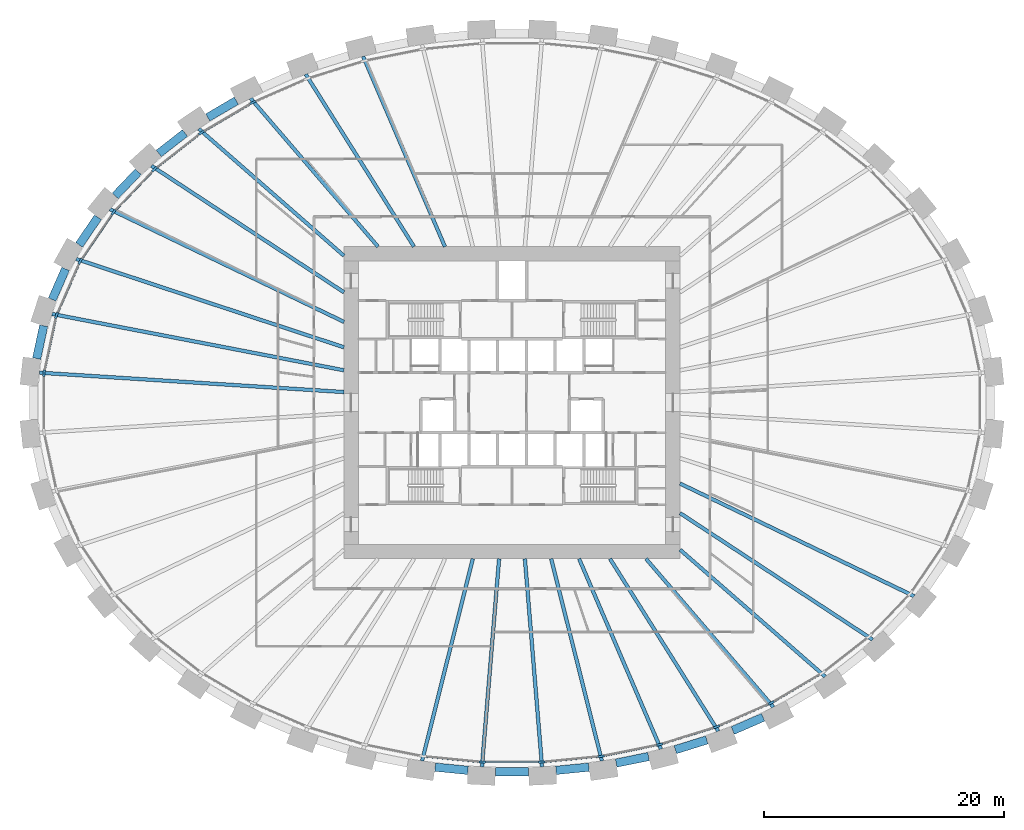
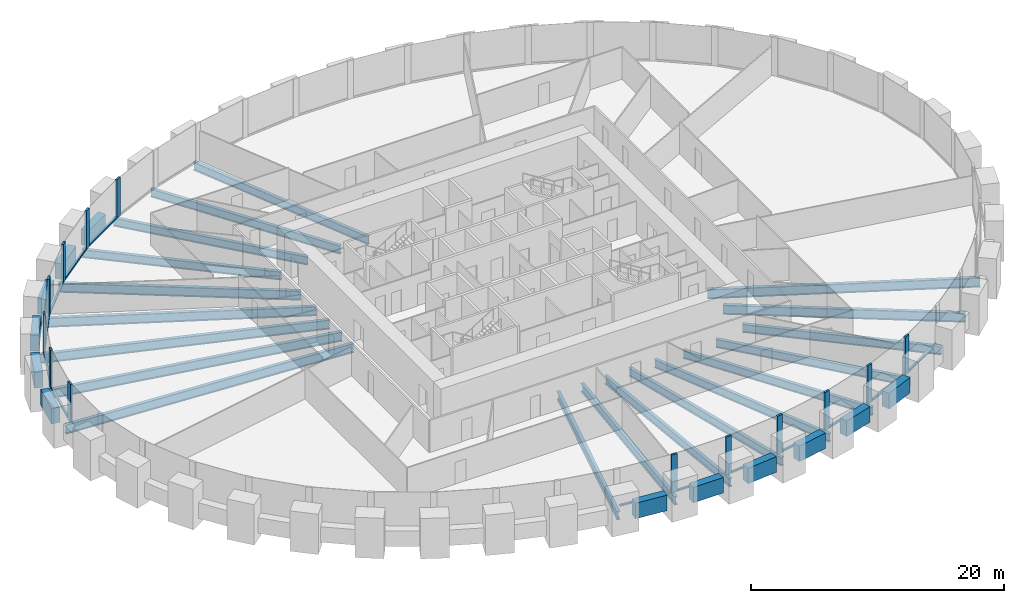
# One storey, part 2 of 11: 31 beams, 26 members, 1 element without a shape of its own.
"""IFC4 building model written with IfcOpenShell, lengths in metres."""

from ifc_helpers import new_model, si_unit, direction, frame, origin, origin_2d, place, context, subcontext, project, spatial, rectangle, i_section, extrude, source, transform, mapped, material, material_profile, profile_set, type_object, element, aggregate, save


model = new_model("IFC4")

# Units and contexts
model_context = context("Model", 3, precision=1e-05, world=origin(), true_north=direction((0.0, 1.0)))
body_context = subcontext(model_context, "Body", "Model", "MODEL_VIEW")
ifc_project = project(units=[si_unit("LENGTHUNIT", "METRE"), si_unit("AREAUNIT", "SQUARE_METRE"), si_unit("VOLUMEUNIT", "CUBIC_METRE"), si_unit("PLANEANGLEUNIT", "RADIAN"), si_unit("MASSUNIT", "GRAM", prefix="KILO")], contexts=[model_context])

# Site, building, storey
site_placement = place(None, origin())
site = spatial("IfcSite", under=ifc_project, at=site_placement, CompositionType="ELEMENT")
building_placement = place(site_placement, origin())
building = spatial("IfcBuilding", under=site, at=building_placement, Name="Embergate Tower", CompositionType="ELEMENT")
storey_placement = place(building_placement, frame((0.0, 0.0, 109.39990234375)))
storey = spatial("IfcBuildingStorey", under=building, at=storey_placement, Name="L23", CompositionType="ELEMENT", Elevation=109.39990234375)

# Beams
ifc_material_1 = material(Name="Concrete C70", Category="concrete")
ifc_material_profile_1 = material_profile(ifc_material_1, rectangle(XDim=0.699951171875, YDim=1.5, at=origin_2d()), Name="RC 700x1500")
ifc_profile_set_1 = profile_set([ifc_material_profile_1], Name="Concrete C70")
beam_type_1 = type_object("IfcBeamType", Name="Spandrel beam RC 700x1500 C70", PredefinedType="BEAM", material=ifc_profile_set_1)
shared_shape_1 = source(origin(), body_context, "Body", "SweptSolid", [
    extrude(rectangle(XDim=0.699951171875, YDim=1.5, at=origin_2d()), origin(), (0.0, 0.0, 1.0), 2.789306640625),
])
beam_1_placement = place(storey_placement, frame((-39.02001953125, 6.409912109375, 0.0), z_axis=(-0.210419662527, -0.977611152566, 0.0), x_axis=(0.977611152566, -0.210419662527, 0.0)))
element("IfcBeam", 1, at=beam_1_placement, inside=storey, type_object=beam_type_1, Name="SPN-L23-20", PredefinedType="BEAM", context=body_context, shape_type="MappedRepresentation", body=[
    mapped(shared_shape_1, transform((0.0, 0.0, 0.0))),
])
shared_shape_2 = source(origin(), body_context, "Body", "SweptSolid", [
    extrude(rectangle(XDim=0.699951171875, YDim=1.5, at=origin_2d()), origin(), (0.0, 0.0, 1.0), 2.78564453125),
])
beam_2_placement = place(storey_placement, frame((-37.193115234375, 11.14892578125, 0.0), z_axis=(-0.401669232295, -0.915784815242, 0.0), x_axis=(0.915784815242, -0.401669232295, 0.0)))
element("IfcBeam", 2, at=beam_2_placement, inside=storey, type_object=beam_type_1, Name="SPN-L23-19", PredefinedType="BEAM", context=body_context, shape_type="MappedRepresentation", body=[
    mapped(shared_shape_2, transform((0.0, 0.0, 0.0))),
])
shared_shape_3 = source(origin(), body_context, "Body", "SweptSolid", [
    extrude(rectangle(XDim=0.699951171875, YDim=1.5, at=origin_2d()), origin(), (0.0, 0.0, 1.0), 2.775634765625),
])
beam_3_placement = place(storey_placement, frame((-34.5009765625, 15.447021484375, 0.0), z_axis=(-0.562430313872, -0.826844690397, 0.0), x_axis=(0.826844690397, -0.562430313872, 0.0)))
element("IfcBeam", 3, at=beam_3_placement, inside=storey, type_object=beam_type_1, Name="SPN-L23-18", PredefinedType="BEAM", context=body_context, shape_type="MappedRepresentation", body=[
    mapped(shared_shape_3, transform((0.0, 0.0, 0.0))),
])
shared_shape_4 = source(origin(), body_context, "Body", "SweptSolid", [
    extrude(rectangle(XDim=0.699951171875, YDim=1.5, at=origin_2d()), origin(), (0.0, 0.0, 1.0), 2.770263671875),
])
beam_4_placement = place(storey_placement, frame((-31.14404296875, 19.241943359375, 0.0), z_axis=(-0.690119345663, -0.723695577395, 0.0), x_axis=(0.723695577395, -0.690119345663, 0.0)))
element("IfcBeam", 4, at=beam_4_placement, inside=storey, type_object=beam_type_1, Name="SPN-L23-17", PredefinedType="BEAM", context=body_context, shape_type="MappedRepresentation", body=[
    mapped(shared_shape_4, transform((0.0, 0.0, 0.0))),
])
shared_shape_5 = source(origin(), body_context, "Body", "SweptSolid", [
    extrude(rectangle(XDim=0.699951171875, YDim=1.5, at=origin_2d()), origin(), (0.0, 0.0, 1.0), 2.762939453125),
])
beam_5_placement = place(storey_placement, frame((-27.248046875, 22.470947265625, 0.0), z_axis=(-0.788304284462, -0.615285588242, 0.0), x_axis=(0.615285588242, -0.788304284462, 0.0)))
element("IfcBeam", 5, at=beam_5_placement, inside=storey, type_object=beam_type_1, Name="SPN-L23-16", PredefinedType="BEAM", context=body_context, shape_type="MappedRepresentation", body=[
    mapped(shared_shape_5, transform((0.0, 0.0, 0.0))),
])
shared_shape_6 = source(origin(), body_context, "Body", "SweptSolid", [
    extrude(rectangle(XDim=0.699951171875, YDim=1.5, at=origin_2d()), origin(), (0.0, 0.0, 1.0), 2.758544921875),
])
beam_6_placement = place(storey_placement, frame((-22.968017578125, 25.162109375, 0.0), z_axis=(-0.862027482261, -0.506861539108, 0.0), x_axis=(0.506861539108, -0.862027482261, 0.0)))
element("IfcBeam", 6, at=beam_6_placement, inside=storey, type_object=beam_type_1, Name="SPN-L23-15", PredefinedType="BEAM", context=body_context, shape_type="MappedRepresentation", body=[
    mapped(shared_shape_6, transform((0.0, 0.0, 0.0))),
])
shared_shape_7 = source(origin(), body_context, "Body", "SweptSolid", [
    extrude(rectangle(XDim=0.699951171875, YDim=1.5, at=origin_2d()), origin(), (0.0, 0.0, 1.0), 2.75537109375),
])
beam_7_placement = place(storey_placement, frame((18.39404296875, -27.31103515625, 0.0), z_axis=(0.916372764163, 0.400326063478, 0.0), x_axis=(-0.400326063478, 0.916372764163, 0.0)))
element("IfcBeam", 7, at=beam_7_placement, inside=storey, type_object=beam_type_1, Name="SPN-L23-36", PredefinedType="BEAM", context=body_context, shape_type="MappedRepresentation", body=[
    mapped(shared_shape_7, transform((0.0, 0.0, 0.0))),
])
shared_shape_8 = source(origin(), body_context, "Body", "SweptSolid", [
    extrude(rectangle(XDim=0.699951171875, YDim=1.5, at=origin_2d()), origin(), (0.0, 0.0, 1.0), 2.750732421875),
])
beam_8_placement = place(storey_placement, frame((13.60595703125, -28.9150390625, 0.0), z_axis=(0.954637769475, 0.297769590609, 0.0), x_axis=(-0.297769590609, 0.954637769475, 0.0)))
element("IfcBeam", 8, at=beam_8_placement, inside=storey, type_object=beam_type_1, Name="SPN-L23-35", PredefinedType="BEAM", context=body_context, shape_type="MappedRepresentation", body=[
    mapped(shared_shape_8, transform((0.0, 0.0, 0.0))),
])
shared_shape_9 = source(origin(), body_context, "Body", "SweptSolid", [
    extrude(rectangle(XDim=0.699951171875, YDim=1.5, at=origin_2d()), origin(), (0.0, 0.0, 1.0), 2.749755859375),
])
beam_9_placement = place(storey_placement, frame((8.680908203125, -30.02392578125, 0.0), z_axis=(0.98045412413, 0.196747834743, 0.0), x_axis=(-0.196747834743, 0.98045412413, 0.0)))
element("IfcBeam", 9, at=beam_9_placement, inside=storey, type_object=beam_type_1, Name="SPN-L23-34", PredefinedType="BEAM", context=body_context, shape_type="MappedRepresentation", body=[
    mapped(shared_shape_9, transform((0.0, 0.0, 0.0))),
])
shared_shape_10 = source(origin(), body_context, "Body", "SweptSolid", [
    extrude(rectangle(XDim=0.699951171875, YDim=1.5, at=origin_2d()), origin(), (0.0, 0.0, 1.0), 2.748291015625),
])
for number, where, z_axis, x_axis, name in (
    (10, (-6.406005859375, -30.363037109375, 0.0), (0.995196843386, -0.097894039223, 0.0), (0.097894039223, 0.995196843386, 0.0), "SPN-L23-31"),
    (11, (3.6708984375, -30.632080078125, 0.0), (0.995196843386, 0.097894039223, 0.0), (-0.097894039223, 0.995196843386, 0.0), "SPN-L23-33"),
):
    element("IfcBeam", number, at=place(storey_placement, frame(where, z_axis=z_axis, x_axis=x_axis)), inside=storey, type_object=beam_type_1, Name=name, PredefinedType="BEAM", context=body_context, shape_type="MappedRepresentation", body=[
        mapped(shared_shape_10, transform((0.0, 0.0, 0.0))),
    ])
shared_shape_11 = source(origin(), body_context, "Body", "SweptSolid", [
    extrude(rectangle(XDim=0.699951171875, YDim=1.5, at=origin_2d()), origin(), (0.0, 0.0, 1.0), 2.748046875),
])
beam_10_placement = place(storey_placement, frame((-1.3740234375, -30.7451171875, 0.0), z_axis=(1.0, 0.0, 0.0), x_axis=(0.0, 1.0, 0.0)))
element("IfcBeam", 12, at=beam_10_placement, inside=storey, type_object=beam_type_1, Name="SPN-L23-32", PredefinedType="BEAM", context=body_context, shape_type="MappedRepresentation", body=[
    mapped(shared_shape_11, transform((0.0, 0.0, 0.0))),
])
ifc_material_2 = material(Name="Steel Q355B", Category="steel")
ifc_material_profile_2 = material_profile(ifc_material_2, i_section(OverallWidth=0.300048828125, OverallDepth=0.89990234375, WebThickness=0.01611328125, FlangeThickness=0.028076171875, FilletRadius=0.028076171875, at=origin_2d()), Name="HN 900x300x16x28")
ifc_profile_set_2 = profile_set([ifc_material_profile_2], Name="Steel Q355 grade B")
beam_type_2 = type_object("IfcBeamType", Name="Radial girder HN 900x300x16x28", PredefinedType="BEAM", material=ifc_profile_set_2)
shared_shape_12 = source(origin(), body_context, "Body", "SweptSolid", [
    extrude(i_section(OverallWidth=0.300048828125, OverallDepth=0.89990234375, WebThickness=0.01611328125, FlangeThickness=0.028076171875, FilletRadius=0.028076171875, at=origin_2d()), origin(), (0.0, 0.0, 1.0), 25.43115234375),
])
beam_11_placement = place(storey_placement, frame((-39.3798828125, 2.501953125, -0.64990234375), z_axis=(0.997986432318, -0.063427761344, 0.0), x_axis=(0.063427761344, 0.997986432318, 0.0)))
element("IfcBeam", 13, at=beam_11_placement, inside=storey, type_object=beam_type_2, Name="GIR-L23-21", PredefinedType="BEAM", context=body_context, shape_type="MappedRepresentation", body=[
    mapped(shared_shape_12, transform((0.0, 0.0, 0.0))),
])
shared_shape_13 = source(origin(), body_context, "Body", "SweptSolid", [
    extrude(i_section(OverallWidth=0.300048828125, OverallDepth=0.89990234375, WebThickness=0.01611328125, FlangeThickness=0.028076171875, FilletRadius=0.028076171875, at=origin_2d()), origin(), (0.0, 0.0, 1.0), 24.775390625),
])
beam_12_placement = place(storey_placement, frame((-38.326904296875, 7.39404296875, -0.64990234375), z_axis=(0.981895013442, -0.189425929, 0.0), x_axis=(0.189425929, 0.981895013442, 0.0)))
element("IfcBeam", 14, at=beam_12_placement, inside=storey, type_object=beam_type_2, Name="GIR-L23-20", PredefinedType="BEAM", context=body_context, shape_type="MappedRepresentation", body=[
    mapped(shared_shape_13, transform((0.0, 0.0, 0.0))),
])
shared_shape_14 = source(origin(), body_context, "Body", "SweptSolid", [
    extrude(i_section(OverallWidth=0.300048828125, OverallDepth=0.89990234375, WebThickness=0.01611328125, FlangeThickness=0.028076171875, FilletRadius=0.028076171875, at=origin_2d()), origin(), (0.0, 0.0, 1.0), 23.499267578125),
])
beam_13_placement = place(storey_placement, frame((-36.31689453125, 11.97705078125, -0.64990234375), z_axis=(0.949685213061, -0.31320599626, 0.0), x_axis=(0.31320599626, 0.949685213061, 0.0)))
element("IfcBeam", 15, at=beam_13_placement, inside=storey, type_object=beam_type_2, Name="GIR-L23-19", PredefinedType="BEAM", context=body_context, shape_type="MappedRepresentation", body=[
    mapped(shared_shape_14, transform((0.0, 0.0, 0.0))),
])
shared_shape_15 = source(origin(), body_context, "Body", "SweptSolid", [
    extrude(i_section(OverallWidth=0.300048828125, OverallDepth=0.89990234375, WebThickness=0.01611328125, FlangeThickness=0.028076171875, FilletRadius=0.028076171875, at=origin_2d()), origin(), (0.0, 0.0, 1.0), 21.641357421875),
])
for number, where, z_axis, x_axis, name in (
    (16, (-33.501953125, 16.116943359375, -0.64990234375), (0.901145989674, -0.433515749765, 0.0), (0.433515749765, 0.901145989674, 0.0), "GIR-L23-18"),
    (17, (33.501953125, -16.116943359375, -0.64990234375), (-0.901145989674, 0.433515749765, 0.0), (-0.433515749765, -0.901145989674, 0.0), "GIR-L23-40"),
):
    element("IfcBeam", number, at=place(storey_placement, frame(where, z_axis=z_axis, x_axis=x_axis)), inside=storey, type_object=beam_type_2, Name=name, PredefinedType="BEAM", context=body_context, shape_type="MappedRepresentation", body=[
        mapped(shared_shape_15, transform((0.0, 0.0, 0.0))),
    ])
shared_shape_16 = source(origin(), body_context, "Body", "SweptSolid", [
    extrude(i_section(OverallWidth=0.300048828125, OverallDepth=0.89990234375, WebThickness=0.01611328125, FlangeThickness=0.028076171875, FilletRadius=0.028076171875, at=origin_2d()), origin(), (0.0, 0.0, 1.0), 19.19970703125),
])
for number, where, z_axis, x_axis, name in (
    (18, (-30.0458984375, 19.741943359375, -0.64990234375), (0.835740827345, -0.549124092996, 0.0), (0.549124092996, 0.835740827345, 0.0), "GIR-L23-17"),
    (19, (30.0458984375, -19.741943359375, -0.64990234375), (-0.835740827345, 0.549124092996, 0.0), (-0.549124092996, -0.835740827345, 0.0), "GIR-L23-39"),
):
    element("IfcBeam", number, at=place(storey_placement, frame(where, z_axis=z_axis, x_axis=x_axis)), inside=storey, type_object=beam_type_2, Name=name, PredefinedType="BEAM", context=body_context, shape_type="MappedRepresentation", body=[
        mapped(shared_shape_16, transform((0.0, 0.0, 0.0))),
    ])
ifc_material_profile_3 = material_profile(ifc_material_2, i_section(OverallWidth=0.300048828125, OverallDepth=0.800048828125, WebThickness=0.013916015625, FlangeThickness=0.02587890625, FilletRadius=0.028076171875, at=origin_2d()), Name="HN 800x300x14x26")
ifc_profile_set_3 = profile_set([ifc_material_profile_3], Name="Steel Q355 grade B")
beam_type_3 = type_object("IfcBeamType", Name="Radial girder HN 800x300x14x26", PredefinedType="BEAM", material=ifc_profile_set_3)
shared_shape_17 = source(origin(), body_context, "Body", "SweptSolid", [
    extrude(i_section(OverallWidth=0.300048828125, OverallDepth=0.800048828125, WebThickness=0.013916015625, FlangeThickness=0.02587890625, FilletRadius=0.028076171875, at=origin_2d()), origin(), (0.0, 0.0, 1.0), 16.071533203125),
])
for number, where, z_axis, x_axis, name in (
    (20, (-26.097900390625, 22.822998046875, -0.599853515625), (0.752748875992, -0.658307777329, 0.0), (0.658307777329, 0.752748875992, 0.0), "GIR-L23-16"),
    (21, (26.097900390625, -22.822998046875, -0.599853515625), (-0.752748875992, 0.658307777329, 0.0), (-0.658307777329, -0.752748875992, 0.0), "GIR-L23-38"),
):
    element("IfcBeam", number, at=place(storey_placement, frame(where, z_axis=z_axis, x_axis=x_axis)), inside=storey, type_object=beam_type_3, Name=name, PredefinedType="BEAM", context=body_context, shape_type="MappedRepresentation", body=[
        mapped(shared_shape_17, transform((0.0, 0.0, 0.0))),
    ])
shared_shape_18 = source(origin(), body_context, "Body", "SweptSolid", [
    extrude(i_section(OverallWidth=0.300048828125, OverallDepth=0.800048828125, WebThickness=0.013916015625, FlangeThickness=0.02587890625, FilletRadius=0.028076171875, at=origin_2d()), origin(), (0.0, 0.0, 1.0), 16.294677734375),
])
for number, where, z_axis, x_axis, name in (
    (22, (-21.779052734375, 25.362060546875, -0.599853515625), (0.651495635829, -0.758652381856, 0.0), (0.758652381856, 0.651495635829, 0.0), "GIR-L23-15"),
    (23, (21.779052734375, -25.362060546875, -0.599853515625), (-0.651495635829, 0.758652381856, 0.0), (-0.758652381856, -0.651495635829, 0.0), "GIR-L23-37"),
):
    element("IfcBeam", number, at=place(storey_placement, frame(where, z_axis=z_axis, x_axis=x_axis)), inside=storey, type_object=beam_type_3, Name=name, PredefinedType="BEAM", context=body_context, shape_type="MappedRepresentation", body=[
        mapped(shared_shape_18, transform((0.0, 0.0, 0.0))),
    ])
shared_shape_19 = source(origin(), body_context, "Body", "SweptSolid", [
    extrude(i_section(OverallWidth=0.300048828125, OverallDepth=0.800048828125, WebThickness=0.013916015625, FlangeThickness=0.02587890625, FilletRadius=0.028076171875, at=origin_2d()), origin(), (0.0, 0.0, 1.0), 16.968017578125),
])
for number, where, z_axis, x_axis, name in (
    (24, (-17.18896484375, 27.368896484375, -0.599853515625), (0.53187684388, -0.846821718513, 0.0), (0.846821718513, 0.53187684388, 0.0), "GIR-L23-14"),
    (25, (17.18896484375, -27.368896484375, -0.599853515625), (-0.53187684388, 0.846821718513, 0.0), (-0.846821718513, -0.53187684388, 0.0), "GIR-L23-36"),
):
    element("IfcBeam", number, at=place(storey_placement, frame(where, z_axis=z_axis, x_axis=x_axis)), inside=storey, type_object=beam_type_3, Name=name, PredefinedType="BEAM", context=body_context, shape_type="MappedRepresentation", body=[
        mapped(shared_shape_19, transform((0.0, 0.0, 0.0))),
    ])
shared_shape_20 = source(origin(), body_context, "Body", "SweptSolid", [
    extrude(i_section(OverallWidth=0.300048828125, OverallDepth=0.800048828125, WebThickness=0.013916015625, FlangeThickness=0.02587890625, FilletRadius=0.028076171875, at=origin_2d()), origin(), (0.0, 0.0, 1.0), 17.261962890625),
])
for number, where, z_axis, x_axis, name in (
    (26, (-12.405029296875, 28.85888671875, -0.599853515625), (0.394921038266, -0.918715066566, 0.0), (0.918715066566, 0.394921038266, 0.0), "GIR-L23-13"),
    (27, (12.405029296875, -28.85888671875, -0.599853515625), (-0.394921038266, 0.918715066566, 0.0), (-0.918715066566, -0.394921038266, 0.0), "GIR-L23-35"),
):
    element("IfcBeam", number, at=place(storey_placement, frame(where, z_axis=z_axis, x_axis=x_axis)), inside=storey, type_object=beam_type_3, Name=name, PredefinedType="BEAM", context=body_context, shape_type="MappedRepresentation", body=[
        mapped(shared_shape_20, transform((0.0, 0.0, 0.0))),
    ])
shared_shape_21 = source(origin(), body_context, "Body", "SweptSolid", [
    extrude(i_section(OverallWidth=0.300048828125, OverallDepth=0.800048828125, WebThickness=0.013916015625, FlangeThickness=0.02587890625, FilletRadius=0.028076171875, at=origin_2d()), origin(), (0.0, 0.0, 1.0), 17.36669921875),
])
for number, where, z_axis, x_axis, name in (
    (28, (-7.491943359375, -29.843994140625, -0.599853515625), (0.243511287378, 0.969898063159, 0.0), (-0.969898063159, 0.243511287378, 0.0), "GIR-L23-31"),
    (29, (7.491943359375, -29.843994140625, -0.599853515625), (-0.243511287378, 0.969898063159, 0.0), (-0.969898063159, -0.243511287378, 0.0), "GIR-L23-34"),
):
    element("IfcBeam", number, at=place(storey_placement, frame(where, z_axis=z_axis, x_axis=x_axis)), inside=storey, type_object=beam_type_3, Name=name, PredefinedType="BEAM", context=body_context, shape_type="MappedRepresentation", body=[
        mapped(shared_shape_21, transform((0.0, 0.0, 0.0))),
    ])
shared_shape_22 = source(origin(), body_context, "Body", "SweptSolid", [
    extrude(i_section(OverallWidth=0.300048828125, OverallDepth=0.800048828125, WebThickness=0.013916015625, FlangeThickness=0.02587890625, FilletRadius=0.028076171875, at=origin_2d()), origin(), (0.0, 0.0, 1.0), 17.393798828125),
])
for number, where, z_axis, x_axis, name in (
    (30, (-2.5048828125, -30.3349609375, -0.599853515625), (0.082264860463, 0.996610502018, 0.0), (-0.996610502018, 0.082264860463, 0.0), "GIR-L23-32"),
    (31, (2.5048828125, -30.3349609375, -0.599853515625), (-0.082264860463, 0.996610502018, 0.0), (-0.996610502018, -0.082264860463, 0.0), "GIR-L23-33"),
):
    element("IfcBeam", number, at=place(storey_placement, frame(where, z_axis=z_axis, x_axis=x_axis)), inside=storey, type_object=beam_type_3, Name=name, PredefinedType="BEAM", context=body_context, shape_type="MappedRepresentation", body=[
        mapped(shared_shape_22, transform((0.0, 0.0, 0.0))),
    ])

# Curtain wall, members
ifc_material_3 = material(Name="Aluminium and glass", Category="aluminium")
curtain_wall_type = type_object("IfcCurtainWallType", Name="Recessed office glazing", PredefinedType="NOTDEFINED", material=ifc_material_3)
curtain_wall_placement = place(storey_placement, origin())
curtain_wall = element("IfcCurtainWall", 32, at=curtain_wall_placement, inside=storey, type_object=curtain_wall_type, Name="Recessed office glazing ring", ObjectType="RECESSED OFFICE GLAZING", PredefinedType="USERDEFINED")
ifc_material_4 = material(Name="Aluminium, thermally broken", Category="aluminium")
ifc_material_profile_4 = material_profile(ifc_material_4, rectangle(XDim=0.179931640625, YDim=0.52001953125, at=origin_2d()), Name="AL 520x180")
ifc_profile_set_4 = profile_set([ifc_material_profile_4], Name="Aluminium, thermally broken")
member_type_1 = type_object("IfcMemberType", Name="Office mullion", PredefinedType="MULLION", material=ifc_profile_set_4)
shared_shape_23 = source(origin(), body_context, "Body", "SweptSolid", [
    extrude(rectangle(XDim=0.179931640625, YDim=0.52001953125, at=origin_2d()), origin(), (0.0, 0.0, 1.0), 3.7001953125),
])
member_1_placement = place(storey_placement, frame((-21.602294921875, 25.014404296875, 0.0), z_axis=(0.0, 0.0, 1.0), x_axis=(0.454520708319, -0.890736170653, 0.0)))
member_1 = element("IfcMember", 33, at=member_1_placement, type_object=member_type_1, Name="CW mullion 16", PredefinedType="MULLION", context=body_context, shape_type="MappedRepresentation", body=[
    mapped(shared_shape_23, transform((0.0, 0.0, 0.0))),
])
member_2_placement = place(storey_placement, frame((-25.87890625, 22.5, 0.0), z_axis=(0.0, 0.0, 1.0), x_axis=(0.562227722082, -0.826982459622, 0.0)))
member_2 = element("IfcMember", 34, at=member_2_placement, type_object=member_type_1, Name="CW mullion 17", PredefinedType="MULLION", context=body_context, shape_type="MappedRepresentation", body=[
    mapped(shared_shape_23, transform((0.0, 0.0, 0.0))),
])
member_3_placement = place(storey_placement, frame((-29.784912109375, 19.451416015625, 0.0), z_axis=(0.0, 0.0, 1.0), x_axis=(0.671238177437, -0.741241734626, 0.0)))
member_3 = element("IfcMember", 35, at=member_3_placement, type_object=member_type_1, Name="CW mullion 18", PredefinedType="MULLION", context=body_context, shape_type="MappedRepresentation", body=[
    mapped(shared_shape_23, transform((0.0, 0.0, 0.0))),
])
member_4_placement = place(storey_placement, frame((-33.19921875, 15.87109375, 0.0), z_axis=(0.0, 0.0, 1.0), x_axis=(0.777883532271, -0.628408474022, 0.0)))
member_4 = element("IfcMember", 36, at=member_4_placement, type_object=member_type_1, Name="CW mullion 19", PredefinedType="MULLION", context=body_context, shape_type="MappedRepresentation", body=[
    mapped(shared_shape_23, transform((0.0, 0.0, 0.0))),
])
member_5_placement = place(storey_placement, frame((-35.9765625, 11.787353515625, 0.0), z_axis=(0.0, 0.0, 1.0), x_axis=(0.875009500255, -0.484105747191, 0.0)))
member_5 = element("IfcMember", 37, at=member_5_placement, type_object=member_type_1, Name="CW mullion 20", PredefinedType="MULLION", context=body_context, shape_type="MappedRepresentation", body=[
    mapped(shared_shape_23, transform((0.0, 0.0, 0.0))),
])
member_6_placement = place(storey_placement, frame((-37.95654296875, 7.272705078125, 0.0), z_axis=(0.0, 0.0, 1.0), x_axis=(0.951501556643, -0.307643930065, 0.0)))
member_6 = element("IfcMember", 38, at=member_6_placement, type_object=member_type_1, Name="CW mullion 21", PredefinedType="MULLION", context=body_context, shape_type="MappedRepresentation", body=[
    mapped(shared_shape_23, transform((0.0, 0.0, 0.0))),
])
member_7_placement = place(storey_placement, frame((-38.9921875, 2.4599609375, 0.0), z_axis=(0.0, 0.0, 1.0), x_axis=(0.994385324123, -0.105819786286, 0.0)))
member_7 = element("IfcMember", 39, at=member_7_placement, type_object=member_type_1, Name="CW mullion 22", PredefinedType="MULLION", context=body_context, shape_type="MappedRepresentation", body=[
    mapped(shared_shape_23, transform((0.0, 0.0, 0.0))),
])
member_8_placement = place(storey_placement, frame((-2.486328125, -29.9453125, 0.0), z_axis=(0.0, 0.0, 1.0), x_axis=(0.048971796621, 0.998800161762, 0.0)))
member_8 = element("IfcMember", 40, at=member_8_placement, type_object=member_type_1, Name="CW mullion 33", PredefinedType="MULLION", context=body_context, shape_type="MappedRepresentation", body=[
    mapped(shared_shape_23, transform((0.0, 0.0, 0.0))),
])
member_9_placement = place(storey_placement, frame((2.486328125, -29.9453125, 0.0), z_axis=(0.0, 0.0, 1.0), x_axis=(-0.048971796621, 0.998800161762, 0.0)))
member_9 = element("IfcMember", 41, at=member_9_placement, type_object=member_type_1, Name="CW mullion 34", PredefinedType="MULLION", context=body_context, shape_type="MappedRepresentation", body=[
    mapped(shared_shape_23, transform((0.0, 0.0, 0.0))),
])
member_10_placement = place(storey_placement, frame((7.434814453125, -29.458984375, 0.0), z_axis=(0.0, 0.0, 1.0), x_axis=(-0.147415835341, 0.989074603602, 0.0)))
member_10 = element("IfcMember", 42, at=member_10_placement, type_object=member_type_1, Name="CW mullion 35", PredefinedType="MULLION", context=body_context, shape_type="MappedRepresentation", body=[
    mapped(shared_shape_23, transform((0.0, 0.0, 0.0))),
])
member_11_placement = place(storey_placement, frame((12.30859375, -28.481201171875, 0.0), z_axis=(0.0, 0.0, 1.0), x_axis=(-0.247316954703, 0.968934633459, 0.0)))
member_11 = element("IfcMember", 43, at=member_11_placement, type_object=member_type_1, Name="CW mullion 36", PredefinedType="MULLION", context=body_context, shape_type="MappedRepresentation", body=[
    mapped(shared_shape_23, transform((0.0, 0.0, 0.0))),
])
member_12_placement = place(storey_placement, frame((17.052734375, -27.00390625, 0.0), z_axis=(0.0, 0.0, 1.0), x_axis=(-0.349510859141, 0.936932313106, 0.0)))
member_12 = element("IfcMember", 44, at=member_12_placement, type_object=member_type_1, Name="CW mullion 37", PredefinedType="MULLION", context=body_context, shape_type="MappedRepresentation", body=[
    mapped(shared_shape_23, transform((0.0, 0.0, 0.0))),
])
member_13_placement = place(storey_placement, frame((21.602294921875, -25.014404296875, 0.0), z_axis=(0.0, 0.0, 1.0), x_axis=(-0.454520708319, 0.890736170653, 0.0)))
member_13 = element("IfcMember", 45, at=member_13_placement, type_object=member_type_1, Name="CW mullion 38", PredefinedType="MULLION", context=body_context, shape_type="MappedRepresentation", body=[
    mapped(shared_shape_23, transform((0.0, 0.0, 0.0))),
])
ifc_material_profile_5 = material_profile(ifc_material_4, rectangle(XDim=0.179931640625, YDim=0.14990234375, at=origin_2d()), Name="AL 150x180")
ifc_profile_set_5 = profile_set([ifc_material_profile_5], Name="Aluminium, thermally broken")
member_type_2 = type_object("IfcMemberType", Name="Office sill transom", PredefinedType="USERDEFINED", material=ifc_profile_set_5)
shared_shape_24 = source(origin(), body_context, "Body", "SweptSolid", [
    extrude(rectangle(XDim=0.179931640625, YDim=0.14990234375, at=origin_2d()), origin(), (0.0, 0.0, 1.0), 4.40283203125),
])
member_14_placement = place(storey_placement, frame((-38.01123046875, 7.018310546875, 0.0751953125), z_axis=(-0.210384862648, -0.977618642196, 0.0), x_axis=(0.977618642196, -0.210384862648, 0.0)))
member_14 = element("IfcMember", 46, at=member_14_placement, type_object=member_type_2, Name="CW transom 21.1", ObjectType="TRANSOM", PredefinedType="USERDEFINED", context=body_context, shape_type="MappedRepresentation", body=[
    mapped(shared_shape_24, transform((0.0, 0.0, 0.0))),
])
shared_shape_25 = source(origin(), body_context, "Body", "SweptSolid", [
    extrude(rectangle(XDim=0.179931640625, YDim=0.14990234375, at=origin_2d()), origin(), (0.0, 0.0, 1.0), 4.409912109375),
])
member_15_placement = place(storey_placement, frame((-36.080810546875, 11.54931640625, 0.0751953125), z_axis=(-0.401649276601, -0.915793567681, 0.0), x_axis=(0.915793567681, -0.401649276601, 0.0)))
member_15 = element("IfcMember", 47, at=member_15_placement, type_object=member_type_2, Name="CW transom 20.1", ObjectType="TRANSOM", PredefinedType="USERDEFINED", context=body_context, shape_type="MappedRepresentation", body=[
    mapped(shared_shape_25, transform((0.0, 0.0, 0.0))),
])
shared_shape_26 = source(origin(), body_context, "Body", "SweptSolid", [
    extrude(rectangle(XDim=0.179931640625, YDim=0.14990234375, at=origin_2d()), origin(), (0.0, 0.0, 1.0), 4.41845703125),
])
member_16_placement = place(storey_placement, frame((-33.345458984375, 15.656005859375, 0.0751953125), z_axis=(-0.562314555327, -0.826923418986, 0.0), x_axis=(0.826923418986, -0.562314555327, 0.0)))
member_16 = element("IfcMember", 48, at=member_16_placement, type_object=member_type_2, Name="CW transom 19.1", ObjectType="TRANSOM", PredefinedType="USERDEFINED", context=body_context, shape_type="MappedRepresentation", body=[
    mapped(shared_shape_26, transform((0.0, 0.0, 0.0))),
])
shared_shape_27 = source(origin(), body_context, "Body", "SweptSolid", [
    extrude(rectangle(XDim=0.179931640625, YDim=0.14990234375, at=origin_2d()), origin(), (0.0, 0.0, 1.0), 4.42724609375),
])
member_17_placement = place(storey_placement, frame((-29.96435546875, 19.26318359375, 0.0751953125), z_axis=(-0.690143848167, -0.723672210906, 0.0), x_axis=(0.723672210906, -0.690143848167, 0.0)))
member_17 = element("IfcMember", 49, at=member_17_placement, type_object=member_type_2, Name="CW transom 18.1", ObjectType="TRANSOM", PredefinedType="USERDEFINED", context=body_context, shape_type="MappedRepresentation", body=[
    mapped(shared_shape_27, transform((0.0, 0.0, 0.0))),
])
shared_shape_28 = source(origin(), body_context, "Body", "SweptSolid", [
    extrude(rectangle(XDim=0.179931640625, YDim=0.14990234375, at=origin_2d()), origin(), (0.0, 0.0, 1.0), 4.434814453125),
])
member_18_placement = place(storey_placement, frame((-26.083984375, 22.340087890625, 0.0751953125), z_axis=(-0.788331413259, -0.615250829231, 0.0), x_axis=(0.615250829231, -0.788331413259, 0.0)))
member_18 = element("IfcMember", 50, at=member_18_placement, type_object=member_type_2, Name="CW transom 17.1", ObjectType="TRANSOM", PredefinedType="USERDEFINED", context=body_context, shape_type="MappedRepresentation", body=[
    mapped(shared_shape_28, transform((0.0, 0.0, 0.0))),
])
shared_shape_29 = source(origin(), body_context, "Body", "SweptSolid", [
    extrude(rectangle(XDim=0.179931640625, YDim=0.14990234375, at=origin_2d()), origin(), (0.0, 0.0, 1.0), 4.441162109375),
])
member_19_placement = place(storey_placement, frame((-21.826416015625, 24.8828125, 0.0751953125), z_axis=(-0.862033122062, -0.506851947287, 0.0), x_axis=(0.506851947287, -0.862033122062, 0.0)))
member_19 = element("IfcMember", 51, at=member_19_placement, type_object=member_type_2, Name="CW transom 16.1", ObjectType="TRANSOM", PredefinedType="USERDEFINED", context=body_context, shape_type="MappedRepresentation", body=[
    mapped(shared_shape_29, transform((0.0, 0.0, 0.0))),
])
member_20_placement = place(storey_placement, frame((21.826416015625, -24.8828125, 0.0751953125), z_axis=(0.862033122062, 0.506851947287, 0.0), x_axis=(-0.506851947287, 0.862033122062, 0.0)))
member_20 = element("IfcMember", 52, at=member_20_placement, type_object=member_type_2, Name="CW transom 38.1", ObjectType="TRANSOM", PredefinedType="USERDEFINED", context=body_context, shape_type="MappedRepresentation", body=[
    mapped(shared_shape_29, transform((0.0, 0.0, 0.0))),
])
shared_shape_30 = source(origin(), body_context, "Body", "SweptSolid", [
    extrude(rectangle(XDim=0.179931640625, YDim=0.14990234375, at=origin_2d()), origin(), (0.0, 0.0, 1.0), 4.4453125),
])
member_21_placement = place(storey_placement, frame((17.291015625, -26.899658203125, 0.0751953125), z_axis=(0.916234206369, 0.400643081907, 0.0), x_axis=(-0.400643081907, 0.916234206369, 0.0)))
member_21 = element("IfcMember", 53, at=member_21_placement, type_object=member_type_2, Name="CW transom 37.1", ObjectType="TRANSOM", PredefinedType="USERDEFINED", context=body_context, shape_type="MappedRepresentation", body=[
    mapped(shared_shape_30, transform((0.0, 0.0, 0.0))),
])
shared_shape_31 = source(origin(), body_context, "Body", "SweptSolid", [
    extrude(rectangle(XDim=0.179931640625, YDim=0.14990234375, at=origin_2d()), origin(), (0.0, 0.0, 1.0), 4.448974609375),
])
member_22_placement = place(storey_placement, frame((12.556884765625, -28.404052734375, 0.0751953125), z_axis=(0.954779260894, 0.297315594892, 0.0), x_axis=(-0.297315594892, 0.954779260894, 0.0)))
member_22 = element("IfcMember", 54, at=member_22_placement, type_object=member_type_2, Name="CW transom 36.1", ObjectType="TRANSOM", PredefinedType="USERDEFINED", context=body_context, shape_type="MappedRepresentation", body=[
    mapped(shared_shape_31, transform((0.0, 0.0, 0.0))),
])
shared_shape_32 = source(origin(), body_context, "Body", "SweptSolid", [
    extrude(rectangle(XDim=0.179931640625, YDim=0.14990234375, at=origin_2d()), origin(), (0.0, 0.0, 1.0), 4.450927734375),
])
member_23_placement = place(storey_placement, frame((7.689697265625, -29.40771484375, 0.0751953125), z_axis=(0.980475049714, 0.196643527453, 0.0), x_axis=(-0.196643527453, 0.980475049714, 0.0)))
member_23 = element("IfcMember", 55, at=member_23_placement, type_object=member_type_2, Name="CW transom 35.1", ObjectType="TRANSOM", PredefinedType="USERDEFINED", context=body_context, shape_type="MappedRepresentation", body=[
    mapped(shared_shape_32, transform((0.0, 0.0, 0.0))),
])
shared_shape_33 = source(origin(), body_context, "Body", "SweptSolid", [
    extrude(rectangle(XDim=0.179931640625, YDim=0.14990234375, at=origin_2d()), origin(), (0.0, 0.0, 1.0), 4.4521484375),
])
member_24_placement = place(storey_placement, frame((-7.176025390625, -29.484375, 0.0751953125), z_axis=(0.99520353902, -0.097825947083, 0.0), x_axis=(0.097825947083, 0.99520353902, 0.0)))
member_24 = element("IfcMember", 56, at=member_24_placement, type_object=member_type_2, Name="CW transom 32.1", ObjectType="TRANSOM", PredefinedType="USERDEFINED", context=body_context, shape_type="MappedRepresentation", body=[
    mapped(shared_shape_33, transform((0.0, 0.0, 0.0))),
])
member_25_placement = place(storey_placement, frame((2.7451171875, -29.919921875, 0.0751953125), z_axis=(0.99520353902, 0.097825947083, 0.0), x_axis=(-0.097825947083, 0.99520353902, 0.0)))
member_25 = element("IfcMember", 57, at=member_25_placement, type_object=member_type_2, Name="CW transom 34.1", ObjectType="TRANSOM", PredefinedType="USERDEFINED", context=body_context, shape_type="MappedRepresentation", body=[
    mapped(shared_shape_33, transform((0.0, 0.0, 0.0))),
])
shared_shape_34 = source(origin(), body_context, "Body", "SweptSolid", [
    extrude(rectangle(XDim=0.179931640625, YDim=0.14990234375, at=origin_2d()), origin(), (0.0, 0.0, 1.0), 4.45263671875),
])
member_26_placement = place(storey_placement, frame((-2.226318359375, -29.9453125, 0.0751953125), z_axis=(1.0, 0.0, 0.0), x_axis=(0.0, 1.0, 0.0)))
member_26 = element("IfcMember", 58, at=member_26_placement, type_object=member_type_2, Name="CW transom 33.1", ObjectType="TRANSOM", PredefinedType="USERDEFINED", context=body_context, shape_type="MappedRepresentation", body=[
    mapped(shared_shape_34, transform((0.0, 0.0, 0.0))),
])
aggregate(curtain_wall, [member_1, member_2, member_3, member_4, member_5, member_6, member_7, member_8, member_9, member_10, member_11, member_12, member_13, member_19, member_18, member_17, member_16, member_15, member_14, member_24, member_26, member_25, member_23, member_22, member_21, member_20])

save(model, "model.ifc")
